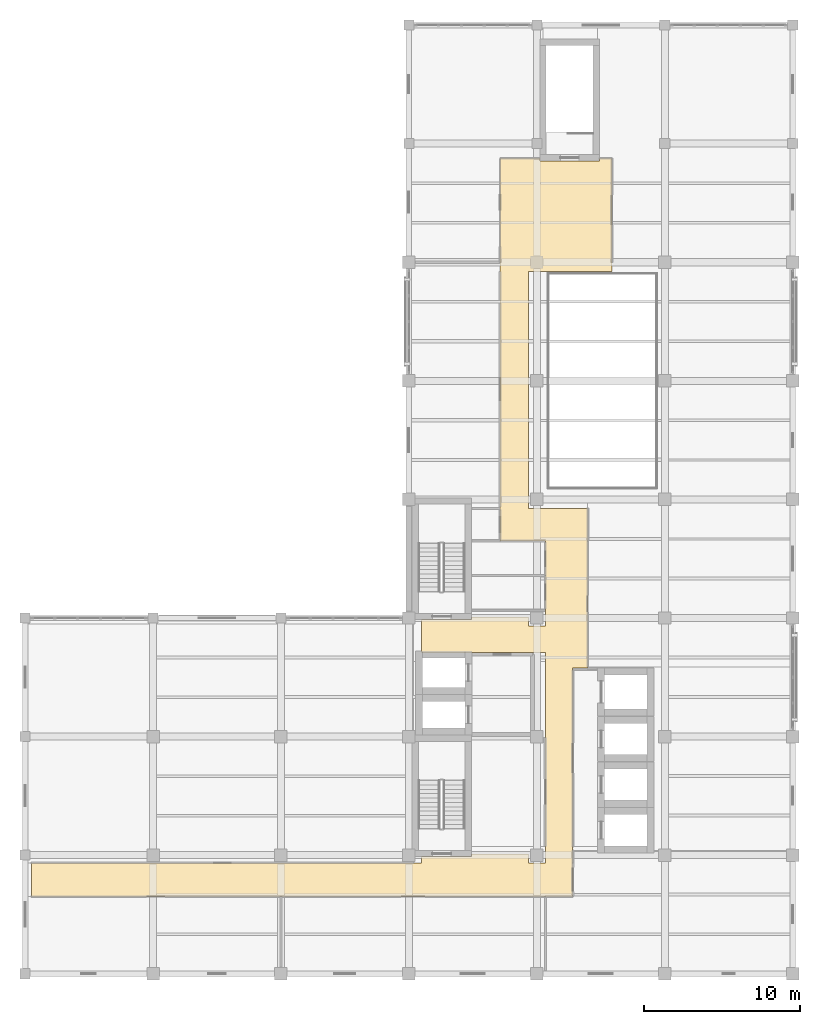
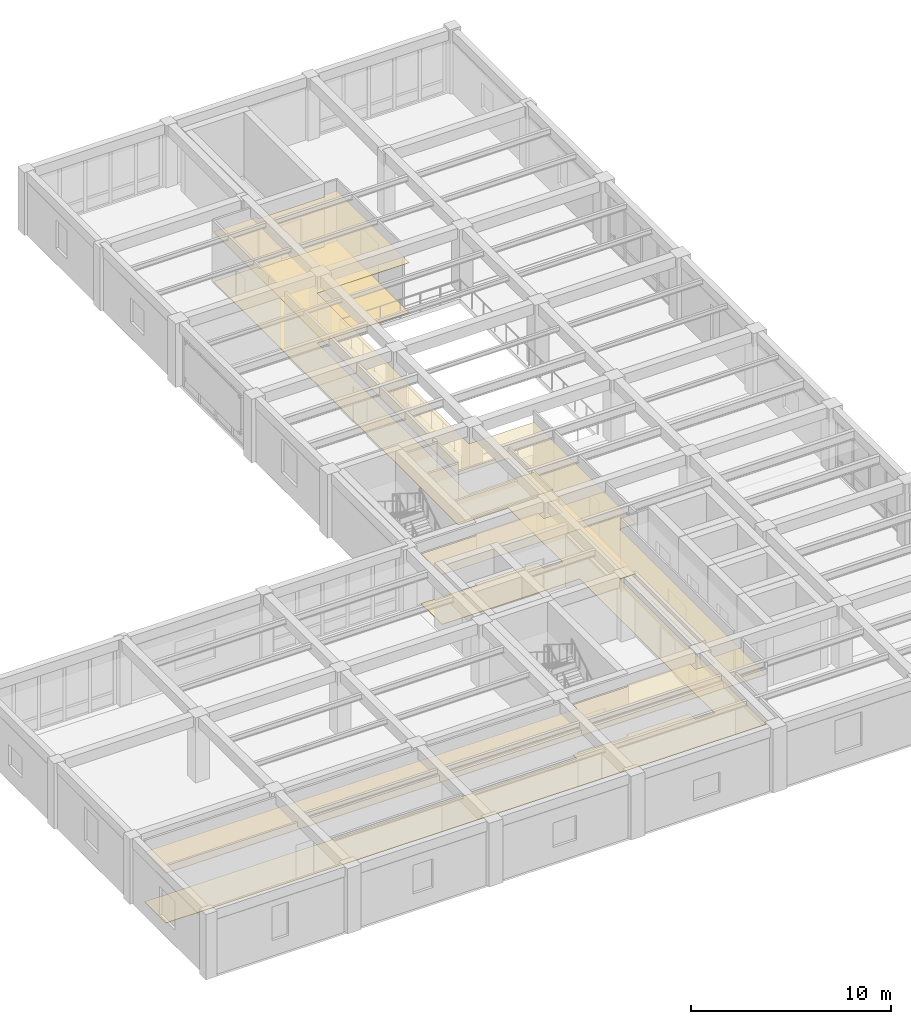
# One storey, part 13 of 15: 2 coverings.
"""IFC4 building model written with IfcOpenShell, lengths in metres."""

import ifcopenshell
import ifcopenshell.guid

model = None  # the IFC model being written
_history = None  # IfcOwnerHistory: only IFC2X3 demands one
_inside = {}  # id of a spatial element -> (the spatial element, [elements in it])
_under = {}  # id of a project, library or spatial element -> (it, [spatial elements below it])
_declared = {}  # id of a project -> (the project, [libraries it declares])
_typed = {}  # id of a type object -> (the type object, [elements of that type])
_made_of = {}  # id of a material, layer set ... -> (it, [elements and type objects made of it])


def new_model(schema):
    """Start an empty IFC model of exactly this schema.

    Asked for "IFC4X3", IfcOpenShell would pick the latest addendum, in which some entities
    have other attributes; the version numbers below select the first issue.
    IFC2X3 requires an IfcOwnerHistory on every rooted entity: one is made here for all.
    """
    global model, _history
    if schema == "IFC4X3":
        model = ifcopenshell.file(schema_version=(4, 3, 0, 0))
    else:
        model = ifcopenshell.file(schema=schema)
    _inside.clear()
    _under.clear()
    _declared.clear()
    _typed.clear()
    _made_of.clear()
    _history = None
    if model.schema == "IFC2X3":
        org = make("IfcOrganization", Name="unknown")
        user = make(
            "IfcPersonAndOrganization",
            ThePerson=make("IfcPerson", FamilyName="unknown"),
            TheOrganization=org,
        )
        app = make(
            "IfcApplication",
            ApplicationDeveloper=org,
            Version="unknown",
            ApplicationFullName="unknown",
            ApplicationIdentifier="unknown",
        )
        _history = make(
            "IfcOwnerHistory",
            OwningUser=user,
            OwningApplication=app,
            ChangeAction="ADDED",
            CreationDate=0,
        )
    return model


def make(cls, **values):
    """One entity of the class cls with the attributes given. An attribute that is None is left unset."""
    return model.create_entity(
        cls, **{name: value for name, value in values.items() if value is not None}
    )


def rooted(cls, **values):
    """An entity with a GlobalId (a new one), such as an element, a storey or a relation."""
    return make(cls, GlobalId=ifcopenshell.guid.new(), OwnerHistory=_history, **values)


def si_unit(unit_type, name, prefix=None):
    """IfcSIUnit, for example si_unit("LENGTHUNIT", "METRE", prefix="MILLI")."""
    return make("IfcSIUnit", UnitType=unit_type, Prefix=prefix, Name=name)


def assignment(units):
    """IfcUnitAssignment: the units of a project."""
    return None if units is None else make("IfcUnitAssignment", Units=units)


def point(xyz):
    """IfcCartesianPoint."""
    return None if xyz is None else make("IfcCartesianPoint", Coordinates=xyz)


def direction(xyz):
    """IfcDirection."""
    return None if xyz is None else make("IfcDirection", DirectionRatios=xyz)


def frame(location, z_axis=None, x_axis=None):
    """IfcAxis2Placement3D, a coordinate frame: its origin and axes. An axis left out is left unset."""
    return make(
        "IfcAxis2Placement3D",
        Location=point(location),
        Axis=direction(z_axis),
        RefDirection=direction(x_axis),
    )


def origin():
    """The frame at (0, 0, 0) with its axes left unset."""
    return frame((0.0, 0.0, 0.0))


def place(relative_to, where):
    """IfcLocalPlacement: puts the frame where relative to a parent placement (None: the world)."""
    return make(
        "IfcLocalPlacement", PlacementRelTo=relative_to, RelativePlacement=where
    )


def context(
    kind, dimensions, precision=None, world=None, true_north=None, identifier=None
):
    """IfcGeometricRepresentationContext, for example the 3D "Model" context."""
    return make(
        "IfcGeometricRepresentationContext",
        ContextIdentifier=identifier,
        ContextType=kind,
        CoordinateSpaceDimension=dimensions,
        Precision=precision,
        WorldCoordinateSystem=world,
        TrueNorth=true_north,
    )


def subcontext(parent, identifier, kind, view, scale=None):
    """IfcGeometricRepresentationSubContext, for example "Body" below "Model"."""
    return make(
        "IfcGeometricRepresentationSubContext",
        ContextIdentifier=identifier,
        ContextType=kind,
        ParentContext=parent,
        TargetScale=scale,
        TargetView=view,
    )


def project(units=None, contexts=None):
    """IfcProject with its units and contexts."""
    return rooted(
        "IfcProject",
        Name="project",
        RepresentationContexts=contexts,
        UnitsInContext=assignment(units),
    )


def spatial(cls, under=None, at=None, **own):
    """A site, building, storey or space (cls), placed at a placement, below another one or the project."""
    s = rooted(cls, ObjectPlacement=at, **own)
    if under is not None:
        _under.setdefault(under.id(), (under, []))[1].append(s)
    return s


def polyline(points):
    """IfcPolyline through the points."""
    return make("IfcPolyline", Points=[point(p) for p in points])


def outline(outer, holes=None, kind="AREA"):
    """IfcArbitraryClosedProfileDef: a profile drawn as a closed curve; with holes, ...WithVoids."""
    if holes is None:
        return make("IfcArbitraryClosedProfileDef", ProfileType=kind, OuterCurve=outer)
    return make(
        "IfcArbitraryProfileDefWithVoids",
        ProfileType=kind,
        OuterCurve=outer,
        InnerCurves=holes,
    )


def extrude(swept, where, along, depth):
    """IfcExtrudedAreaSolid: the profile swept, set in the frame where, extruded along a direction by depth."""
    return make(
        "IfcExtrudedAreaSolid",
        SweptArea=swept,
        Position=where,
        ExtrudedDirection=direction(along),
        Depth=depth,
    )


def shape(context_of_items, identifier, shape_type, items):
    """IfcShapeRepresentation: the items that make up one representation, for example the "Body"."""
    return make(
        "IfcShapeRepresentation",
        ContextOfItems=context_of_items,
        RepresentationIdentifier=identifier,
        RepresentationType=shape_type,
        Items=items,
    )


def material(Name=None, Category=None):
    """IfcMaterial."""
    return make("IfcMaterial", Name=Name, Category=Category)


def layer(
    of_material, thickness, ventilated=None, Name=None, Category=None, Priority=None
):
    """IfcMaterialLayer: one layer of a wall or slab, of a material (None: an air gap)."""
    return make(
        "IfcMaterialLayer",
        Material=of_material,
        LayerThickness=thickness,
        IsVentilated=ventilated,
        Name=Name,
        Category=Category,
        Priority=Priority,
    )


def layer_set(layers, Name=None):
    """IfcMaterialLayerSet."""
    return make("IfcMaterialLayerSet", MaterialLayers=layers, LayerSetName=Name)


def made_of(thing, what):
    """Note that an element or type object is made of a material, layer set ...; save() writes the relation."""
    if what is not None:
        _made_of.setdefault(what.id(), (what, []))[1].append(thing)
    return thing


def type_object(cls, material=None, **own):
    """A type object (cls), such as IfcWallType, which elements share."""
    return made_of(rooted(cls, **own), material)


def element(
    cls,
    number,
    at=None,
    inside=None,
    cuts=None,
    type_object=None,
    material=None,
    context=None,
    identifier="Body",
    shape_type=None,
    held_by="IfcProductDefinitionShape",
    body=None,
    shapes=None,
    **own,
):
    """One element of the class cls, such as IfcWall. Its Tag is "e" and its number.

    at: its placement. inside: the storey or other place that contains it. cuts: it is an
    opening in that element (IfcRelVoidsElement). A single representation is given by context,
    identifier, shape_type and body (its items); several are given by shapes. held_by: the class
    of the entity that holds the representations. save() writes the other relations.
    """
    e = rooted(cls, Tag="e%d" % number, ObjectPlacement=at, **own)
    if body is not None:
        shapes = [shape(context, identifier, shape_type, body)]
    if shapes is not None:
        e.Representation = make(held_by, Representations=shapes)
    if inside is not None:
        _inside.setdefault(inside.id(), (inside, []))[1].append(e)
    if cuts is not None:
        rooted(
            "IfcRelVoidsElement", RelatingBuildingElement=cuts, RelatedOpeningElement=e
        )
    if type_object is not None:
        _typed.setdefault(type_object.id(), (type_object, []))[1].append(e)
    return made_of(e, material)


def aggregate(whole, parts):
    """IfcRelAggregates: a whole, such as a stair, and the parts it consists of."""
    return rooted("IfcRelAggregates", RelatingObject=whole, RelatedObjects=parts)


def save(model, path):
    """Write the relations noted so far, then the file.

    IfcRelAggregates (storeys below a building ...), IfcRelContainedInSpatialStructure (elements
    in a storey), IfcRelDefinesByType, IfcRelAssociatesMaterial and IfcRelDeclares: one each for
    every whole, place, type object, material and project.
    """
    for whole, parts in _under.values():
        aggregate(whole, parts)
    for where, things in _inside.values():
        rooted(
            "IfcRelContainedInSpatialStructure",
            RelatedElements=things,
            RelatingStructure=where,
        )
    for kind, things in _typed.values():
        rooted("IfcRelDefinesByType", RelatedObjects=things, RelatingType=kind)
    for what, things in _made_of.values():
        rooted("IfcRelAssociatesMaterial", RelatedObjects=things, RelatingMaterial=what)
    for by, libraries in _declared.values():
        rooted("IfcRelDeclares", RelatingContext=by, RelatedDefinitions=libraries)
    model.write(path)


model = new_model("IFC4")

# Units and contexts
model_context = context("Model", 3, precision=1e-05, world=origin(), true_north=direction((0.0, 1.0)))
body_context = subcontext(model_context, "Body", "Model", "MODEL_VIEW")
ifc_project = project(units=[si_unit("LENGTHUNIT", "METRE"), si_unit("AREAUNIT", "SQUARE_METRE"), si_unit("VOLUMEUNIT", "CUBIC_METRE"), si_unit("PLANEANGLEUNIT", "RADIAN"), si_unit("MASSUNIT", "GRAM", prefix="KILO")], contexts=[model_context])

# Site, building, storey
site_placement = place(None, origin())
site = spatial("IfcSite", under=ifc_project, at=site_placement, CompositionType="ELEMENT")
building_placement = place(site_placement, origin())
building = spatial("IfcBuilding", under=site, at=building_placement, Name="Qandaris Square Conservatory and Botanical Centre", CompositionType="ELEMENT")
storey_placement = place(building_placement, frame((0.0, 0.0, 32.39990234375)))
storey = spatial("IfcBuildingStorey", under=building, at=storey_placement, Name="L07", CompositionType="ELEMENT", Elevation=32.39990234375)

# Coverings
ifc_material_1 = material(Name="Honed Qatari Limestone", Category="masonry")
ifc_layer_1 = layer(ifc_material_1, 0.030029296875)
ifc_layer_set_1 = layer_set([ifc_layer_1], Name="Honed Qatari Limestone")
covering_type_1 = type_object("IfcCoveringType", Name="Honed Qatari Limestone Concourse Paving", PredefinedType="FLOORING", material=ifc_layer_set_1)
covering_1_placement = place(storey_placement, origin())
element("IfcCovering", 1, at=covering_1_placement, inside=storey, type_object=covering_type_1, Name="Main Circulation Corridor L07 Flooring", PredefinedType="FLOORING", context=body_context, shape_type="SweptSolid", body=[
    extrude(outline(polyline([(140.0, 24.10009765625), (143.199951171875, 24.10009765625), (143.199951171875, 24.280029296875), (146.85009765625, 24.280029296875), (146.85009765625, 23.699951171875), (147.949951171875, 23.699951171875), (147.949951171875, 24.75), (147.949951171875, 31.75), (147.949951171875, 36.199951171875), (147.949951171875, 37.199951171875), (140.0, 37.199951171875), (140.0, 38.89990234375), (140.0, 39.300048828125), (143.199951171875, 39.300048828125), (143.199951171875, 39.47998046875), (146.85009765625, 39.47998046875), (146.85009765625, 38.89990234375), (147.949951171875, 38.89990234375), (147.949951171875, 39.89990234375), (147.949951171875, 42.1201171875), (147.949951171875, 44.340087890625), (146.8798828125, 44.340087890625), (145.050048828125, 44.340087890625), (145.050048828125, 46.419921875), (145.050048828125, 61.60009765625), (145.050048828125, 63.199951171875), (145.050048828125, 68.85009765625), (147.60009765625, 68.85009765625), (147.60009765625, 68.699951171875), (151.39990234375, 68.699951171875), (151.39990234375, 68.85009765625), (152.199951171875, 68.85009765625), (152.199951171875, 61.60009765625), (146.8798828125, 61.60009765625), (146.8798828125, 46.419921875), (147.949951171875, 46.419921875), (150.64990234375, 46.419921875), (150.64990234375, 44.340087890625), (150.64990234375, 36.199951171875), (149.699951171875, 36.199951171875), (149.699951171875, 36.050048828125), (149.699951171875, 24.75), (149.699951171875, 23.699951171875), (149.699951171875, 21.550048828125), (147.949951171875, 21.550048828125), (115.0, 21.550048828125), (115.0, 23.699951171875), (140.0, 23.699951171875), (140.0, 24.10009765625)])), origin(), (0.0, 0.0, 1.0), 0.030029296875),
])
ifc_material_2 = material(Name="Gypsum Plasterboard", Category="gypsum")
ifc_layer_2 = layer(ifc_material_2, 0.02490234375)
ifc_layer_set_2 = layer_set([ifc_layer_2], Name="Gypsum Plasterboard")
covering_type_2 = type_object("IfcCoveringType", Name="Perforated Acoustic Lab Ceiling Tile", PredefinedType="CEILING", material=ifc_layer_set_2)
covering_2_placement = place(storey_placement, frame((0.0, 0.0, 3.050048828125)))
element("IfcCovering", 2, at=covering_2_placement, inside=storey, type_object=covering_type_2, Name="Main Circulation Corridor L07 Ceiling", PredefinedType="CEILING", context=body_context, shape_type="SweptSolid", body=[
    extrude(outline(polyline([(140.0, 24.10009765625), (143.199951171875, 24.10009765625), (143.199951171875, 24.280029296875), (146.85009765625, 24.280029296875), (146.85009765625, 23.699951171875), (147.949951171875, 23.699951171875), (147.949951171875, 24.75), (147.949951171875, 31.75), (147.949951171875, 36.199951171875), (147.949951171875, 37.199951171875), (140.0, 37.199951171875), (140.0, 38.89990234375), (140.0, 39.300048828125), (143.199951171875, 39.300048828125), (143.199951171875, 39.47998046875), (146.85009765625, 39.47998046875), (146.85009765625, 38.89990234375), (147.949951171875, 38.89990234375), (147.949951171875, 39.89990234375), (147.949951171875, 42.1201171875), (147.949951171875, 44.340087890625), (146.8798828125, 44.340087890625), (145.050048828125, 44.340087890625), (145.050048828125, 46.419921875), (145.050048828125, 61.60009765625), (145.050048828125, 63.199951171875), (145.050048828125, 68.85009765625), (147.60009765625, 68.85009765625), (147.60009765625, 68.699951171875), (151.39990234375, 68.699951171875), (151.39990234375, 68.85009765625), (152.199951171875, 68.85009765625), (152.199951171875, 61.60009765625), (146.8798828125, 61.60009765625), (146.8798828125, 46.419921875), (147.949951171875, 46.419921875), (150.64990234375, 46.419921875), (150.64990234375, 44.340087890625), (150.64990234375, 36.199951171875), (149.699951171875, 36.199951171875), (149.699951171875, 36.050048828125), (149.699951171875, 24.75), (149.699951171875, 23.699951171875), (149.699951171875, 21.550048828125), (147.949951171875, 21.550048828125), (115.0, 21.550048828125), (115.0, 23.699951171875), (140.0, 23.699951171875), (140.0, 24.10009765625)])), origin(), (0.0, 0.0, 1.0), 0.025146484375),
])

save(model, "model.ifc")
